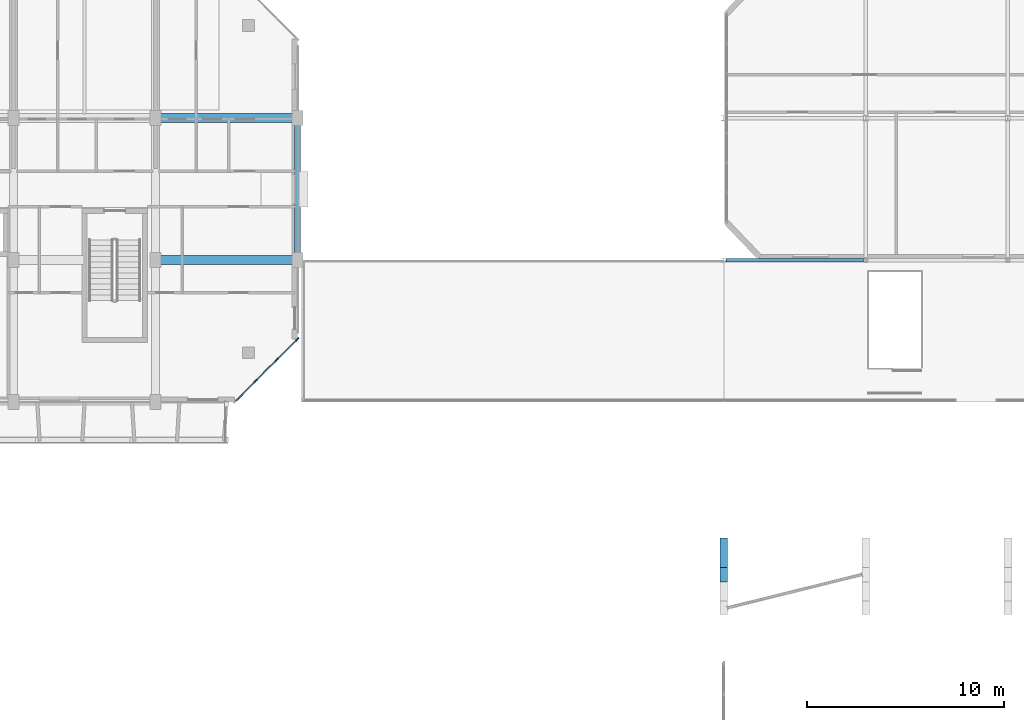
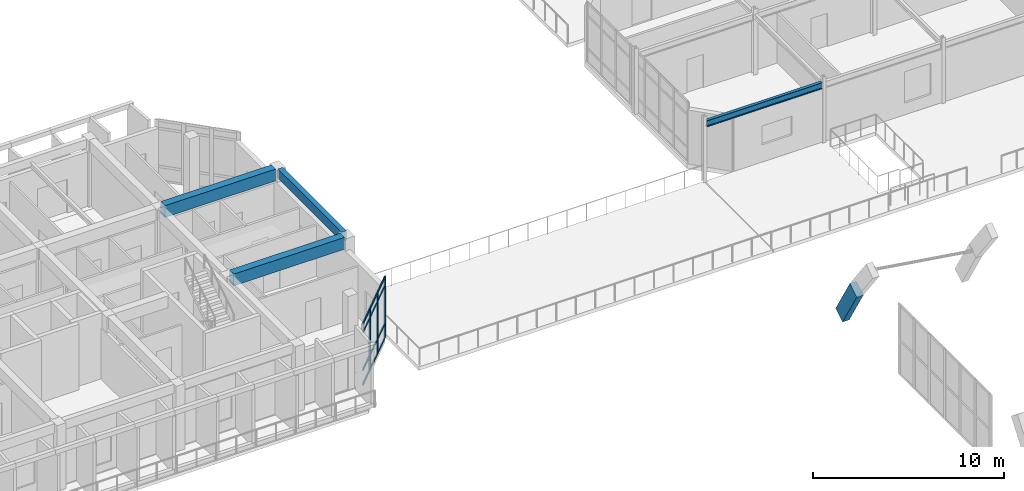
# One storey, part 27 of 85: 15 members, 5 beams, 1 element without a shape of its own.
"""IFC4 building model written with IfcOpenShell, lengths in metres."""

from ifc_helpers import new_model, si_unit, direction, frame, origin, origin_2d, place, context, subcontext, project, spatial, rectangle, i_section, extrude, material, layer, layer_set, material_profile, profile_set, type_object, element, aggregate, save


model = new_model("IFC4")

# Units and contexts
model_context = context("Model", 3, precision=1e-05, world=origin(), true_north=direction((0.0, 1.0)))
body_context = subcontext(model_context, "Body", "Model", "MODEL_VIEW")
ifc_project = project(units=[si_unit("LENGTHUNIT", "METRE"), si_unit("AREAUNIT", "SQUARE_METRE"), si_unit("VOLUMEUNIT", "CUBIC_METRE"), si_unit("PLANEANGLEUNIT", "RADIAN"), si_unit("MASSUNIT", "GRAM", prefix="KILO")], contexts=[model_context])

# Site, building, storey
site_placement = place(None, origin())
site = spatial("IfcSite", under=ifc_project, at=site_placement, CompositionType="ELEMENT")
building_placement = place(site_placement, origin())
building = spatial("IfcBuilding", under=site, at=building_placement, Name="Ochrevale Crest", CompositionType="ELEMENT")
storey_placement = place(building_placement, frame((0.0, 0.0, 4.5)))
storey = spatial("IfcBuildingStorey", under=building, at=storey_placement, Name="L01", CompositionType="ELEMENT", Elevation=4.5)

# Beams
ifc_material_1 = material(Name="Precast concrete C50/60", Category="concrete")
ifc_material_profile_1 = material_profile(ifc_material_1, rectangle(XDim=0.39990234375, YDim=0.85009765625, at=origin_2d()), Name="PC 400x850")
ifc_profile_set_1 = profile_set([ifc_material_profile_1], Name="Precast concrete C50/60")
beam_type_1 = type_object("IfcBeamType", Name="BM-AR400x850", PredefinedType="BEAM", material=ifc_profile_set_1)
beam_1_placement = place(storey_placement, frame((57.60009765625, 63.259033203125, 2.7744140625), z_axis=(0.0, 0.513061889278, -0.858351616629), x_axis=(-1.0, 0.0, 0.0)))
element("IfcBeam", 1, at=beam_1_placement, inside=storey, type_object=beam_type_1, Name="Precast vault arch rib AR-01 chord 10", PredefinedType="BEAM", context=body_context, shape_type="SweptSolid", body=[
    extrude(rectangle(XDim=0.39990234375, YDim=0.85009765625, at=origin_2d()), origin(), (0.0, 0.0, 1.0), 2.906005859375),
])
ifc_material_2 = material(Name="Concrete C50/60", Category="concrete")
ifc_material_profile_2 = material_profile(ifc_material_2, rectangle(XDim=0.449951171875, YDim=0.75, at=origin_2d()), Name="RC 450x750")
ifc_profile_set_2 = profile_set([ifc_material_profile_2], Name="Concrete C50/60")
beam_type_2 = type_object("IfcBeamType", Name="BM-PG450x750", PredefinedType="USERDEFINED", material=ifc_profile_set_2)
for number, where, z_axis, x_axis, name in (
    (2, (29.050048828125, 79.199951171875, 3.824951171875), (1.0, 0.0, 0.0), (0.0, 1.0, 0.0), "Block B L01 E-W beam Y=79.2"),
    (3, (29.050048828125, 86.39990234375, 3.824951171875), (1.0, 0.0, 0.0), (0.0, 1.0, 0.0), "Block B L01 E-W beam Y=86.4"),
):
    element("IfcBeam", number, at=place(storey_placement, frame(where, z_axis=z_axis, x_axis=x_axis)), inside=storey, type_object=beam_type_2, Name=name, ObjectType="GIRDER", PredefinedType="USERDEFINED", context=body_context, shape_type="SweptSolid", body=[
        extrude(rectangle(XDim=0.449951171875, YDim=0.75, at=origin_2d()), origin(), (0.0, 0.0, 1.0), 6.699951171875),
    ])
ifc_material_3 = material(Name="Precast concrete C40/50", Category="concrete")
ifc_material_profile_3 = material_profile(ifc_material_3, rectangle(XDim=0.300048828125, YDim=0.60009765625, at=origin_2d()), Name="PC 300x600")
ifc_profile_set_3 = profile_set([ifc_material_profile_3], Name="Precast concrete C40/50")
beam_type_3 = type_object("IfcBeamType", Name="BM-SP300x600", PredefinedType="SPANDREL", material=ifc_profile_set_3)
beam_2_placement = place(storey_placement, frame((36.0, 79.455078125, 3.89990234375), z_axis=(0.0, 1.0, 0.0), x_axis=(-1.0, 0.0, 0.0)))
element("IfcBeam", 4, at=beam_2_placement, inside=storey, type_object=beam_type_3, Name="Block B L01 N-S beam X=36.0", PredefinedType="SPANDREL", context=body_context, shape_type="SweptSolid", body=[
    extrude(rectangle(XDim=0.300048828125, YDim=0.60009765625, at=origin_2d()), origin(), (0.0, 0.0, 1.0), 6.68994140625),
])
ifc_material_4 = material(Name="Steel S355", Category="steel")
ifc_material_profile_4 = material_profile(ifc_material_4, i_section(OverallWidth=0.177734375, OverallDepth=0.406494140625, WebThickness=0.0078125, FlangeThickness=0.0126953125, FilletRadius=0.011474609375, at=origin_2d()), Name="410UB59.7")
ifc_profile_set_4 = profile_set([ifc_material_profile_4], Name="Steel S355")
beam_type_4 = type_object("IfcBeamType", Name="BM-UB410B", PredefinedType="BEAM", material=ifc_profile_set_4)
beam_3_placement = place(storey_placement, frame((57.719970703125, 79.199951171875, 3.671875), z_axis=(1.0, 0.0, 0.0), x_axis=(0.0, 1.0, 0.0)))
element("IfcBeam", 5, at=beam_3_placement, inside=storey, type_object=beam_type_4, Name="Nursery L01 steel girder Y=79.2", PredefinedType="BEAM", context=body_context, shape_type="SweptSolid", body=[
    extrude(i_section(OverallWidth=0.177734375, OverallDepth=0.406494140625, WebThickness=0.0078125, FlangeThickness=0.0126953125, FilletRadius=0.011474609375, at=origin_2d()), origin(), (0.0, 0.0, 1.0), 6.9599609375),
])

# Curtain wall, members
ifc_material_5 = material(Name="Anodised aluminium 6063-T5", Category="aluminium")
ifc_layer = layer(ifc_material_5, 0.14990234375)
ifc_layer_set = layer_set([ifc_layer], Name="Anodised aluminium 6063-T5")
curtain_wall_type = type_object("IfcCurtainWallType", Name="CW-WG-360x385", PredefinedType="NOTDEFINED", material=ifc_layer_set)
curtain_wall_placement = place(storey_placement, origin())
curtain_wall = element("IfcCurtainWall", 6, at=curtain_wall_placement, inside=storey, type_object=curtain_wall_type, Name="Block B L01 chamfered corner wintergarden curtain wall 2", PredefinedType="NOTDEFINED")
ifc_material_profile_5 = material_profile(ifc_material_5, rectangle(XDim=0.074951171875, YDim=0.219970703125, at=origin_2d()), Name="ALU 75x220")
ifc_profile_set_5 = profile_set([ifc_material_profile_5], Name="Anodised aluminium 6063-T5")
member_type_1 = type_object("IfcMemberType", Name="CW-MUL-75x220", PredefinedType="MULLION", material=ifc_profile_set_5)
member_1_placement = place(storey_placement, frame((33.86669921875, 73.066650390625, 0.0), z_axis=(0.0, 0.0, 1.0), x_axis=(-0.707106781187, 0.707106781187, 0.0)))
member_1 = element("IfcMember", 7, at=member_1_placement, type_object=member_type_1, Name="CW20 mullion 2", PredefinedType="MULLION", context=body_context, shape_type="SweptSolid", body=[
    extrude(rectangle(XDim=0.074951171875, YDim=0.219970703125, at=origin_2d()), origin(), (0.0, 0.0, 1.0), 3.925048828125),
])
member_2_placement = place(storey_placement, frame((34.933349609375, 74.13330078125, 0.0), z_axis=(0.0, 0.0, 1.0), x_axis=(-0.707106781187, 0.707106781187, 0.0)))
member_2 = element("IfcMember", 8, at=member_2_placement, type_object=member_type_1, Name="CW20 mullion 3", PredefinedType="MULLION", context=body_context, shape_type="SweptSolid", body=[
    extrude(rectangle(XDim=0.074951171875, YDim=0.219970703125, at=origin_2d()), origin(), (0.0, 0.0, 1.0), 3.925048828125),
])
member_3_placement = place(storey_placement, frame((35.973388671875, 75.173583984375, 0.0), z_axis=(0.0, 0.0, 1.0), x_axis=(-0.707106781187, 0.707106781187, 0.0)))
member_3 = element("IfcMember", 9, at=member_3_placement, type_object=member_type_1, Name="CW20 mullion 4", PredefinedType="MULLION", context=body_context, shape_type="SweptSolid", body=[
    extrude(rectangle(XDim=0.074951171875, YDim=0.219970703125, at=origin_2d()), origin(), (0.0, 0.0, 1.0), 3.925048828125),
])
ifc_material_profile_6 = material_profile(ifc_material_5, rectangle(XDim=0.06005859375, YDim=0.14990234375, at=origin_2d()), Name="ALU 60x150")
ifc_profile_set_6 = profile_set([ifc_material_profile_6], Name="Anodised aluminium 6063-T5")
member_type_2 = type_object("IfcMemberType", Name="CW-TRN-60x150", PredefinedType="USERDEFINED", material=ifc_profile_set_6)
member_4_placement = place(storey_placement, frame((32.85302734375, 72.052978515625, 0.030029296875), z_axis=(0.707106781187, 0.707106781187, 0.0), x_axis=(-0.707106781187, 0.707106781187, 0.0)))
member_4 = element("IfcMember", 10, at=member_4_placement, type_object=member_type_2, Name="CW20 transom 1.1", ObjectType="TRANSOM", PredefinedType="USERDEFINED", context=body_context, shape_type="SweptSolid", body=[
    extrude(rectangle(XDim=0.06005859375, YDim=0.14990234375, at=origin_2d()), origin(), (0.0, 0.0, 1.0), 1.39599609375),
])
member_5_placement = place(storey_placement, frame((32.85302734375, 72.052978515625, 0.949951171875), z_axis=(0.707106781187, 0.707106781187, 0.0), x_axis=(-0.707106781187, 0.707106781187, 0.0)))
member_5 = element("IfcMember", 11, at=member_5_placement, type_object=member_type_2, Name="CW20 transom 1.2", ObjectType="TRANSOM", PredefinedType="USERDEFINED", context=body_context, shape_type="SweptSolid", body=[
    extrude(rectangle(XDim=0.06005859375, YDim=0.14990234375, at=origin_2d()), origin(), (0.0, 0.0, 1.0), 1.39599609375),
])
member_6_placement = place(storey_placement, frame((32.85302734375, 72.052978515625, 3.375), z_axis=(0.707106781187, 0.707106781187, 0.0), x_axis=(-0.707106781187, 0.707106781187, 0.0)))
member_6 = element("IfcMember", 12, at=member_6_placement, type_object=member_type_2, Name="CW20 transom 1.3", ObjectType="TRANSOM", PredefinedType="USERDEFINED", context=body_context, shape_type="SweptSolid", body=[
    extrude(rectangle(XDim=0.06005859375, YDim=0.14990234375, at=origin_2d()), origin(), (0.0, 0.0, 1.0), 1.39599609375),
])
member_7_placement = place(storey_placement, frame((32.85302734375, 72.052978515625, 3.89501953125), z_axis=(0.707106781187, 0.707106781187, 0.0), x_axis=(-0.707106781187, 0.707106781187, 0.0)))
member_7 = element("IfcMember", 13, at=member_7_placement, type_object=member_type_2, Name="CW20 transom 1.4", ObjectType="TRANSOM", PredefinedType="USERDEFINED", context=body_context, shape_type="SweptSolid", body=[
    extrude(rectangle(XDim=0.06005859375, YDim=0.14990234375, at=origin_2d()), origin(), (0.0, 0.0, 1.0), 1.39599609375),
])
member_8_placement = place(storey_placement, frame((33.89306640625, 73.09326171875, 0.030029296875), z_axis=(0.707106781187, 0.707106781187, 0.0), x_axis=(-0.707106781187, 0.707106781187, 0.0)))
member_8 = element("IfcMember", 14, at=member_8_placement, type_object=member_type_2, Name="CW20 transom 2.1", ObjectType="TRANSOM", PredefinedType="USERDEFINED", context=body_context, shape_type="SweptSolid", body=[
    extrude(rectangle(XDim=0.06005859375, YDim=0.14990234375, at=origin_2d()), origin(), (0.0, 0.0, 1.0), 1.43359375),
])
member_9_placement = place(storey_placement, frame((33.89306640625, 73.09326171875, 0.949951171875), z_axis=(0.707106781187, 0.707106781187, 0.0), x_axis=(-0.707106781187, 0.707106781187, 0.0)))
member_9 = element("IfcMember", 15, at=member_9_placement, type_object=member_type_2, Name="CW20 transom 2.2", ObjectType="TRANSOM", PredefinedType="USERDEFINED", context=body_context, shape_type="SweptSolid", body=[
    extrude(rectangle(XDim=0.06005859375, YDim=0.14990234375, at=origin_2d()), origin(), (0.0, 0.0, 1.0), 1.43359375),
])
member_10_placement = place(storey_placement, frame((33.89306640625, 73.09326171875, 3.375), z_axis=(0.707106781187, 0.707106781187, 0.0), x_axis=(-0.707106781187, 0.707106781187, 0.0)))
member_10 = element("IfcMember", 16, at=member_10_placement, type_object=member_type_2, Name="CW20 transom 2.3", ObjectType="TRANSOM", PredefinedType="USERDEFINED", context=body_context, shape_type="SweptSolid", body=[
    extrude(rectangle(XDim=0.06005859375, YDim=0.14990234375, at=origin_2d()), origin(), (0.0, 0.0, 1.0), 1.43359375),
])
member_11_placement = place(storey_placement, frame((33.89306640625, 73.09326171875, 3.89501953125), z_axis=(0.707106781187, 0.707106781187, 0.0), x_axis=(-0.707106781187, 0.707106781187, 0.0)))
member_11 = element("IfcMember", 17, at=member_11_placement, type_object=member_type_2, Name="CW20 transom 2.4", ObjectType="TRANSOM", PredefinedType="USERDEFINED", context=body_context, shape_type="SweptSolid", body=[
    extrude(rectangle(XDim=0.06005859375, YDim=0.14990234375, at=origin_2d()), origin(), (0.0, 0.0, 1.0), 1.43359375),
])
member_12_placement = place(storey_placement, frame((34.9599609375, 74.159912109375, 0.030029296875), z_axis=(0.707106781187, 0.707106781187, 0.0), x_axis=(-0.707106781187, 0.707106781187, 0.0)))
member_12 = element("IfcMember", 18, at=member_12_placement, type_object=member_type_2, Name="CW20 transom 3.1", ObjectType="TRANSOM", PredefinedType="USERDEFINED", context=body_context, shape_type="SweptSolid", body=[
    extrude(rectangle(XDim=0.06005859375, YDim=0.14990234375, at=origin_2d()), origin(), (0.0, 0.0, 1.0), 1.39599609375),
])
member_13_placement = place(storey_placement, frame((34.9599609375, 74.159912109375, 0.949951171875), z_axis=(0.707106781187, 0.707106781187, 0.0), x_axis=(-0.707106781187, 0.707106781187, 0.0)))
member_13 = element("IfcMember", 19, at=member_13_placement, type_object=member_type_2, Name="CW20 transom 3.2", ObjectType="TRANSOM", PredefinedType="USERDEFINED", context=body_context, shape_type="SweptSolid", body=[
    extrude(rectangle(XDim=0.06005859375, YDim=0.14990234375, at=origin_2d()), origin(), (0.0, 0.0, 1.0), 1.39599609375),
])
member_14_placement = place(storey_placement, frame((34.9599609375, 74.159912109375, 3.375), z_axis=(0.707106781187, 0.707106781187, 0.0), x_axis=(-0.707106781187, 0.707106781187, 0.0)))
member_14 = element("IfcMember", 20, at=member_14_placement, type_object=member_type_2, Name="CW20 transom 3.3", ObjectType="TRANSOM", PredefinedType="USERDEFINED", context=body_context, shape_type="SweptSolid", body=[
    extrude(rectangle(XDim=0.06005859375, YDim=0.14990234375, at=origin_2d()), origin(), (0.0, 0.0, 1.0), 1.39599609375),
])
member_15_placement = place(storey_placement, frame((34.9599609375, 74.159912109375, 3.89501953125), z_axis=(0.707106781187, 0.707106781187, 0.0), x_axis=(-0.707106781187, 0.707106781187, 0.0)))
member_15 = element("IfcMember", 21, at=member_15_placement, type_object=member_type_2, Name="CW20 transom 3.4", ObjectType="TRANSOM", PredefinedType="USERDEFINED", context=body_context, shape_type="SweptSolid", body=[
    extrude(rectangle(XDim=0.06005859375, YDim=0.14990234375, at=origin_2d()), origin(), (0.0, 0.0, 1.0), 1.39599609375),
])
aggregate(curtain_wall, [member_1, member_2, member_3, member_4, member_5, member_6, member_7, member_8, member_9, member_10, member_11, member_12, member_13, member_14, member_15])

save(model, "model.ifc")
